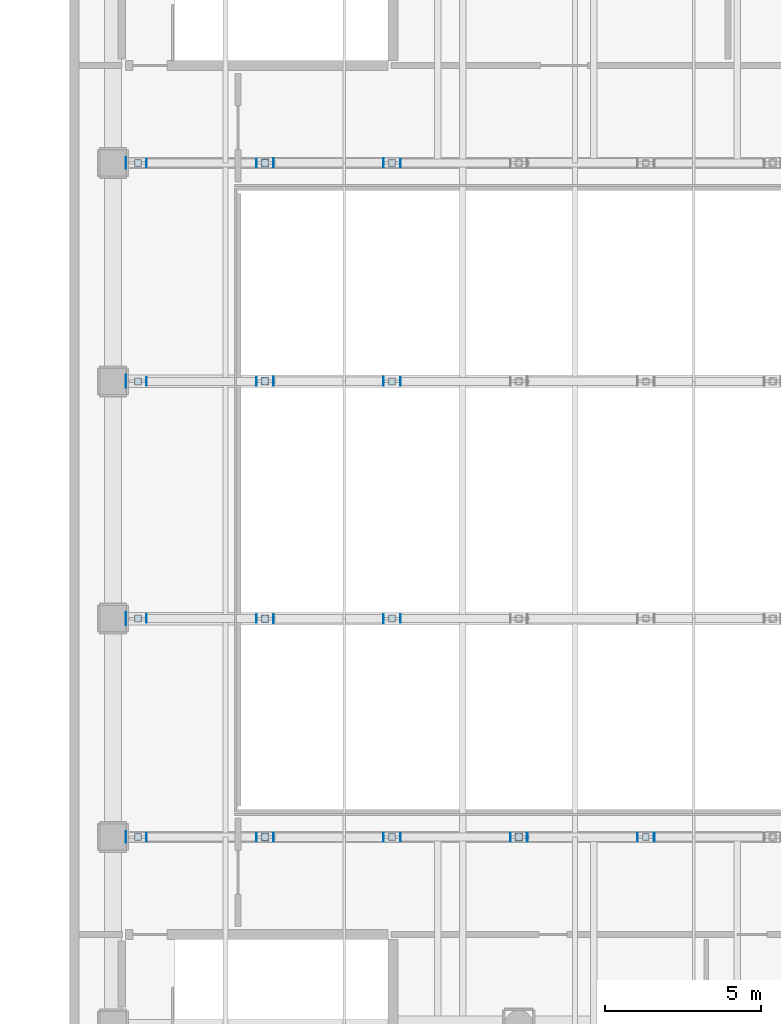
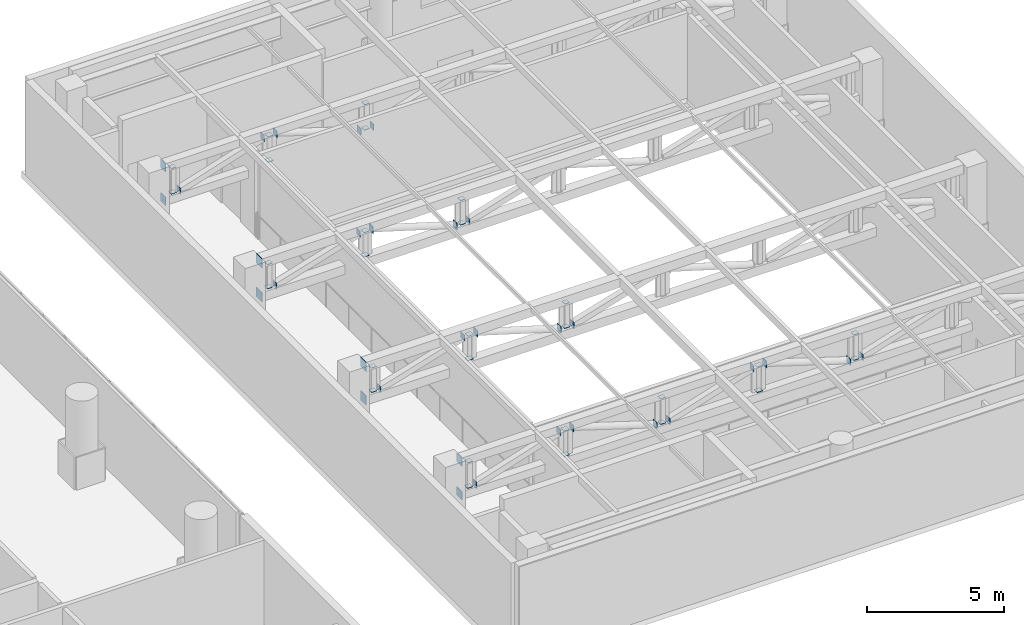
# One storey, part 16 of 25: 60 plates.
"""IFC4 building model written with IfcOpenShell, lengths in metres."""

import ifcopenshell
import ifcopenshell.guid

model = None  # the IFC model being written
_history = None  # IfcOwnerHistory: only IFC2X3 demands one
_inside = {}  # id of a spatial element -> (the spatial element, [elements in it])
_under = {}  # id of a project, library or spatial element -> (it, [spatial elements below it])
_declared = {}  # id of a project -> (the project, [libraries it declares])
_typed = {}  # id of a type object -> (the type object, [elements of that type])
_made_of = {}  # id of a material, layer set ... -> (it, [elements and type objects made of it])


def new_model(schema):
    """Start an empty IFC model of exactly this schema.

    Asked for "IFC4X3", IfcOpenShell would pick the latest addendum, in which some entities
    have other attributes; the version numbers below select the first issue.
    IFC2X3 requires an IfcOwnerHistory on every rooted entity: one is made here for all.
    """
    global model, _history
    if schema == "IFC4X3":
        model = ifcopenshell.file(schema_version=(4, 3, 0, 0))
    else:
        model = ifcopenshell.file(schema=schema)
    _inside.clear()
    _under.clear()
    _declared.clear()
    _typed.clear()
    _made_of.clear()
    _history = None
    if model.schema == "IFC2X3":
        org = make("IfcOrganization", Name="unknown")
        user = make(
            "IfcPersonAndOrganization",
            ThePerson=make("IfcPerson", FamilyName="unknown"),
            TheOrganization=org,
        )
        app = make(
            "IfcApplication",
            ApplicationDeveloper=org,
            Version="unknown",
            ApplicationFullName="unknown",
            ApplicationIdentifier="unknown",
        )
        _history = make(
            "IfcOwnerHistory",
            OwningUser=user,
            OwningApplication=app,
            ChangeAction="ADDED",
            CreationDate=0,
        )
    return model


def make(cls, **values):
    """One entity of the class cls with the attributes given. An attribute that is None is left unset."""
    return model.create_entity(
        cls, **{name: value for name, value in values.items() if value is not None}
    )


def rooted(cls, **values):
    """An entity with a GlobalId (a new one), such as an element, a storey or a relation."""
    return make(cls, GlobalId=ifcopenshell.guid.new(), OwnerHistory=_history, **values)


def si_unit(unit_type, name, prefix=None):
    """IfcSIUnit, for example si_unit("LENGTHUNIT", "METRE", prefix="MILLI")."""
    return make("IfcSIUnit", UnitType=unit_type, Prefix=prefix, Name=name)


def assignment(units):
    """IfcUnitAssignment: the units of a project."""
    return None if units is None else make("IfcUnitAssignment", Units=units)


def point(xyz):
    """IfcCartesianPoint."""
    return None if xyz is None else make("IfcCartesianPoint", Coordinates=xyz)


def direction(xyz):
    """IfcDirection."""
    return None if xyz is None else make("IfcDirection", DirectionRatios=xyz)


def frame(location, z_axis=None, x_axis=None):
    """IfcAxis2Placement3D, a coordinate frame: its origin and axes. An axis left out is left unset."""
    return make(
        "IfcAxis2Placement3D",
        Location=point(location),
        Axis=direction(z_axis),
        RefDirection=direction(x_axis),
    )


def frame_2d(location, x_axis=None):
    """IfcAxis2Placement2D, a coordinate frame in the plane: its origin and x axis."""
    return make(
        "IfcAxis2Placement2D", Location=point(location), RefDirection=direction(x_axis)
    )


def origin():
    """The frame at (0, 0, 0) with its axes left unset."""
    return frame((0.0, 0.0, 0.0))


def origin_2d():
    """The frame at (0, 0) in the plane with its x axis left unset."""
    return frame_2d((0.0, 0.0))


def place(relative_to, where):
    """IfcLocalPlacement: puts the frame where relative to a parent placement (None: the world)."""
    return make(
        "IfcLocalPlacement", PlacementRelTo=relative_to, RelativePlacement=where
    )


def context(
    kind, dimensions, precision=None, world=None, true_north=None, identifier=None
):
    """IfcGeometricRepresentationContext, for example the 3D "Model" context."""
    return make(
        "IfcGeometricRepresentationContext",
        ContextIdentifier=identifier,
        ContextType=kind,
        CoordinateSpaceDimension=dimensions,
        Precision=precision,
        WorldCoordinateSystem=world,
        TrueNorth=true_north,
    )


def subcontext(parent, identifier, kind, view, scale=None):
    """IfcGeometricRepresentationSubContext, for example "Body" below "Model"."""
    return make(
        "IfcGeometricRepresentationSubContext",
        ContextIdentifier=identifier,
        ContextType=kind,
        ParentContext=parent,
        TargetScale=scale,
        TargetView=view,
    )


def project(units=None, contexts=None):
    """IfcProject with its units and contexts."""
    return rooted(
        "IfcProject",
        Name="project",
        RepresentationContexts=contexts,
        UnitsInContext=assignment(units),
    )


def spatial(cls, under=None, at=None, **own):
    """A site, building, storey or space (cls), placed at a placement, below another one or the project."""
    s = rooted(cls, ObjectPlacement=at, **own)
    if under is not None:
        _under.setdefault(under.id(), (under, []))[1].append(s)
    return s


def profile(cls, at=None, kind="AREA", **sizes):
    """A parametric profile (cls). Its sizes go by their IFC names, for example OverallWidth=200.0."""
    return make(cls, ProfileType=kind, Position=at, **sizes)


def rectangle(**sizes):
    """IfcRectangleProfileDef."""
    return profile("IfcRectangleProfileDef", **sizes)


def extrude(swept, where, along, depth):
    """IfcExtrudedAreaSolid: the profile swept, set in the frame where, extruded along a direction by depth."""
    return make(
        "IfcExtrudedAreaSolid",
        SweptArea=swept,
        Position=where,
        ExtrudedDirection=direction(along),
        Depth=depth,
    )


def shape(context_of_items, identifier, shape_type, items):
    """IfcShapeRepresentation: the items that make up one representation, for example the "Body"."""
    return make(
        "IfcShapeRepresentation",
        ContextOfItems=context_of_items,
        RepresentationIdentifier=identifier,
        RepresentationType=shape_type,
        Items=items,
    )


def material(Name=None, Category=None):
    """IfcMaterial."""
    return make("IfcMaterial", Name=Name, Category=Category)


def layer(
    of_material, thickness, ventilated=None, Name=None, Category=None, Priority=None
):
    """IfcMaterialLayer: one layer of a wall or slab, of a material (None: an air gap)."""
    return make(
        "IfcMaterialLayer",
        Material=of_material,
        LayerThickness=thickness,
        IsVentilated=ventilated,
        Name=Name,
        Category=Category,
        Priority=Priority,
    )


def layer_set(layers, Name=None):
    """IfcMaterialLayerSet."""
    return make("IfcMaterialLayerSet", MaterialLayers=layers, LayerSetName=Name)


def made_of(thing, what):
    """Note that an element or type object is made of a material, layer set ...; save() writes the relation."""
    if what is not None:
        _made_of.setdefault(what.id(), (what, []))[1].append(thing)
    return thing


def type_object(cls, material=None, **own):
    """A type object (cls), such as IfcWallType, which elements share."""
    return made_of(rooted(cls, **own), material)


def element(
    cls,
    number,
    at=None,
    inside=None,
    cuts=None,
    type_object=None,
    material=None,
    context=None,
    identifier="Body",
    shape_type=None,
    held_by="IfcProductDefinitionShape",
    body=None,
    shapes=None,
    **own,
):
    """One element of the class cls, such as IfcWall. Its Tag is "e" and its number.

    at: its placement. inside: the storey or other place that contains it. cuts: it is an
    opening in that element (IfcRelVoidsElement). A single representation is given by context,
    identifier, shape_type and body (its items); several are given by shapes. held_by: the class
    of the entity that holds the representations. save() writes the other relations.
    """
    e = rooted(cls, Tag="e%d" % number, ObjectPlacement=at, **own)
    if body is not None:
        shapes = [shape(context, identifier, shape_type, body)]
    if shapes is not None:
        e.Representation = make(held_by, Representations=shapes)
    if inside is not None:
        _inside.setdefault(inside.id(), (inside, []))[1].append(e)
    if cuts is not None:
        rooted(
            "IfcRelVoidsElement", RelatingBuildingElement=cuts, RelatedOpeningElement=e
        )
    if type_object is not None:
        _typed.setdefault(type_object.id(), (type_object, []))[1].append(e)
    return made_of(e, material)


def aggregate(whole, parts):
    """IfcRelAggregates: a whole, such as a stair, and the parts it consists of."""
    return rooted("IfcRelAggregates", RelatingObject=whole, RelatedObjects=parts)


def save(model, path):
    """Write the relations noted so far, then the file.

    IfcRelAggregates (storeys below a building ...), IfcRelContainedInSpatialStructure (elements
    in a storey), IfcRelDefinesByType, IfcRelAssociatesMaterial and IfcRelDeclares: one each for
    every whole, place, type object, material and project.
    """
    for whole, parts in _under.values():
        aggregate(whole, parts)
    for where, things in _inside.values():
        rooted(
            "IfcRelContainedInSpatialStructure",
            RelatedElements=things,
            RelatingStructure=where,
        )
    for kind, things in _typed.values():
        rooted("IfcRelDefinesByType", RelatedObjects=things, RelatingType=kind)
    for what, things in _made_of.values():
        rooted("IfcRelAssociatesMaterial", RelatedObjects=things, RelatingMaterial=what)
    for by, libraries in _declared.values():
        rooted("IfcRelDeclares", RelatingContext=by, RelatedDefinitions=libraries)
    model.write(path)


model = new_model("IFC4")

# Units and contexts
model_context = context("Model", 3, precision=1e-05, world=origin(), true_north=direction((0.0, 1.0)))
body_context = subcontext(model_context, "Body", "Model", "MODEL_VIEW")
ifc_project = project(units=[si_unit("LENGTHUNIT", "METRE"), si_unit("AREAUNIT", "SQUARE_METRE"), si_unit("VOLUMEUNIT", "CUBIC_METRE"), si_unit("PLANEANGLEUNIT", "RADIAN"), si_unit("MASSUNIT", "GRAM", prefix="KILO")], contexts=[model_context])

# Site, building, storey
site_placement = place(None, origin())
site = spatial("IfcSite", under=ifc_project, at=site_placement, CompositionType="ELEMENT")
building_placement = place(site_placement, origin())
building = spatial("IfcBuilding", under=site, at=building_placement, Name="Solanera Arch Residences", CompositionType="ELEMENT")
storey_placement = place(building_placement, frame((0.0, 0.0, 17.800048828125)))
storey = spatial("IfcBuildingStorey", under=building, at=storey_placement, Name="L04", CompositionType="ELEMENT", Elevation=17.800048828125)

# Plates
ifc_material = material(Name="Steel S355 (ASTM A992 / A572 Grade 50)", Category="steel")
ifc_layer = layer(ifc_material, 0.02001953125)
ifc_layer_set = layer_set([ifc_layer], Name="Steel S355 (ASTM A992 / A572 Grade 50)")
plate_type = type_object("IfcPlateType", Name="End Cap Plate EC-20", PredefinedType="USERDEFINED", material=ifc_layer_set)
for number, where, z_axis, x_axis, name in (
    (1, (56.215087890625, 19.800048828125, 3.81494140625), (0.0, 0.0, 1.0), (-1.0, 0.0, 0.0), "Hollow Section End Cap 1"),
    (2, (56.215087890625, 19.800048828125, 2.31494140625), (0.0, 0.0, 1.0), (-1.0, 0.0, 0.0), "Hollow Section End Cap 3"),
):
    element("IfcPlate", number, at=place(storey_placement, frame(where, z_axis=z_axis, x_axis=x_axis)), inside=storey, type_object=plate_type, Name=name, ObjectType="STIFFENER", PredefinedType="USERDEFINED", context=body_context, shape_type="SweptSolid", body=[
        extrude(rectangle(XDim=0.02001953125, YDim=0.3701171875, at=origin_2d()), origin(), (0.0, 0.0, 1.0), 0.3701171875),
    ])
for number, where, z_axis, x_axis, name in (
    (3, (56.60009765625, 19.800048828125, 2.675048828125), (0.0, 0.0, 1.0), (1.0, 0.0, 0.0), "Hollow Section End Cap 5"),
    (4, (56.60009765625, 19.800048828125, 3.804931640625), (0.0, 0.0, 1.0), (1.0, 0.0, 0.0), "Hollow Section End Cap 6"),
):
    element("IfcPlate", number, at=place(storey_placement, frame(where, z_axis=z_axis, x_axis=x_axis)), inside=storey, type_object=plate_type, Name=name, ObjectType="STIFFENER", PredefinedType="USERDEFINED", context=body_context, shape_type="SweptSolid", body=[
        extrude(rectangle(XDim=0.219970703125, YDim=0.219970703125, at=origin_2d()), origin(), (0.0, 0.0, 1.0), 0.02001953125),
    ])
for number, where, z_axis, x_axis, name in (
    (5, (56.8701171875, 19.800048828125, 2.556884765625), (0.0, 0.0, 1.0), (-1.0, 0.0, 0.0), "Hollow Section End Cap 7"),
    (6, (60.39697265625, 19.800048828125, 3.6728515625), (0.0, 0.0, 1.0), (1.0, 0.0, 0.0), "Hollow Section End Cap 8"),
):
    element("IfcPlate", number, at=place(storey_placement, frame(where, z_axis=z_axis, x_axis=x_axis)), inside=storey, type_object=plate_type, Name=name, ObjectType="STIFFENER", PredefinedType="USERDEFINED", context=body_context, shape_type="SweptSolid", body=[
        extrude(rectangle(XDim=0.02001953125, YDim=0.27001953125, at=origin_2d()), origin(), (0.0, 0.0, 1.0), 0.27001953125),
    ])
for number, where, z_axis, x_axis, name in (
    (7, (60.6669921875, 19.800048828125, 2.675048828125), (0.0, 0.0, 1.0), (1.0, 0.0, 0.0), "Hollow Section End Cap 9"),
    (8, (60.6669921875, 19.800048828125, 3.804931640625), (0.0, 0.0, 1.0), (1.0, 0.0, 0.0), "Hollow Section End Cap 10"),
):
    element("IfcPlate", number, at=place(storey_placement, frame(where, z_axis=z_axis, x_axis=x_axis)), inside=storey, type_object=plate_type, Name=name, ObjectType="STIFFENER", PredefinedType="USERDEFINED", context=body_context, shape_type="SweptSolid", body=[
        extrude(rectangle(XDim=0.239013671875, YDim=0.239013671875, at=origin_2d()), origin(), (0.0, 0.0, 1.0), 0.02001953125),
    ])
for number, where, z_axis, x_axis, name in (
    (9, (60.93701171875, 19.800048828125, 3.661376953125), (0.0, 0.0, 1.0), (-1.0, 0.0, 0.0), "Hollow Section End Cap 11"),
    (10, (64.462890625, 19.800048828125, 2.54541015625), (0.0, 0.0, 1.0), (1.0, 0.0, 0.0), "Hollow Section End Cap 12"),
):
    element("IfcPlate", number, at=place(storey_placement, frame(where, z_axis=z_axis, x_axis=x_axis)), inside=storey, type_object=plate_type, Name=name, ObjectType="STIFFENER", PredefinedType="USERDEFINED", context=body_context, shape_type="SweptSolid", body=[
        extrude(rectangle(XDim=0.02001953125, YDim=0.29296875, at=origin_2d()), origin(), (0.0, 0.0, 1.0), 0.29296875),
    ])
for number, where, z_axis, x_axis, name in (
    (11, (64.73291015625, 19.800048828125, 2.675048828125), (0.0, 0.0, 1.0), (1.0, 0.0, 0.0), "Hollow Section End Cap 13"),
    (12, (64.73291015625, 19.800048828125, 3.804931640625), (0.0, 0.0, 1.0), (1.0, 0.0, 0.0), "Hollow Section End Cap 14"),
):
    element("IfcPlate", number, at=place(storey_placement, frame(where, z_axis=z_axis, x_axis=x_axis)), inside=storey, type_object=plate_type, Name=name, ObjectType="STIFFENER", PredefinedType="USERDEFINED", context=body_context, shape_type="SweptSolid", body=[
        extrude(rectangle(XDim=0.219970703125, YDim=0.219970703125, at=origin_2d()), origin(), (0.0, 0.0, 1.0), 0.02001953125),
    ])
for number, where, z_axis, x_axis, name in (
    (13, (65.0029296875, 19.800048828125, 2.556884765625), (0.0, 0.0, 1.0), (-1.0, 0.0, 0.0), "Hollow Section End Cap 15"),
    (14, (68.530029296875, 19.800048828125, 3.6728515625), (0.0, 0.0, 1.0), (1.0, 0.0, 0.0), "Hollow Section End Cap 16"),
):
    element("IfcPlate", number, at=place(storey_placement, frame(where, z_axis=z_axis, x_axis=x_axis)), inside=storey, type_object=plate_type, Name=name, ObjectType="STIFFENER", PredefinedType="USERDEFINED", context=body_context, shape_type="SweptSolid", body=[
        extrude(rectangle(XDim=0.02001953125, YDim=0.27001953125, at=origin_2d()), origin(), (0.0, 0.0, 1.0), 0.27001953125),
    ])
for number, where, z_axis, x_axis, name in (
    (15, (68.800048828125, 19.800048828125, 2.675048828125), (0.0, 0.0, 1.0), (1.0, 0.0, 0.0), "Hollow Section End Cap 17"),
    (16, (68.800048828125, 19.800048828125, 3.804931640625), (0.0, 0.0, 1.0), (1.0, 0.0, 0.0), "Hollow Section End Cap 18"),
):
    element("IfcPlate", number, at=place(storey_placement, frame(where, z_axis=z_axis, x_axis=x_axis)), inside=storey, type_object=plate_type, Name=name, ObjectType="STIFFENER", PredefinedType="USERDEFINED", context=body_context, shape_type="SweptSolid", body=[
        extrude(rectangle(XDim=0.239013671875, YDim=0.239013671875, at=origin_2d()), origin(), (0.0, 0.0, 1.0), 0.02001953125),
    ])
for number, where, z_axis, x_axis, name in (
    (17, (69.070068359375, 19.800048828125, 3.661376953125), (0.0, 0.0, 1.0), (-1.0, 0.0, 0.0), "Hollow Section End Cap 19"),
    (18, (72.596923828125, 19.800048828125, 2.54541015625), (0.0, 0.0, 1.0), (1.0, 0.0, 0.0), "Hollow Section End Cap 20"),
):
    element("IfcPlate", number, at=place(storey_placement, frame(where, z_axis=z_axis, x_axis=x_axis)), inside=storey, type_object=plate_type, Name=name, ObjectType="STIFFENER", PredefinedType="USERDEFINED", context=body_context, shape_type="SweptSolid", body=[
        extrude(rectangle(XDim=0.02001953125, YDim=0.29296875, at=origin_2d()), origin(), (0.0, 0.0, 1.0), 0.29296875),
    ])
for number, where, z_axis, x_axis, name in (
    (19, (72.866943359375, 19.800048828125, 2.675048828125), (0.0, 0.0, 1.0), (1.0, 0.0, 0.0), "Hollow Section End Cap 21"),
    (20, (72.866943359375, 19.800048828125, 3.804931640625), (0.0, 0.0, 1.0), (1.0, 0.0, 0.0), "Hollow Section End Cap 22"),
):
    element("IfcPlate", number, at=place(storey_placement, frame(where, z_axis=z_axis, x_axis=x_axis)), inside=storey, type_object=plate_type, Name=name, ObjectType="STIFFENER", PredefinedType="USERDEFINED", context=body_context, shape_type="SweptSolid", body=[
        extrude(rectangle(XDim=0.219970703125, YDim=0.219970703125, at=origin_2d()), origin(), (0.0, 0.0, 1.0), 0.02001953125),
    ])
plate_1_placement = place(storey_placement, frame((73.136962890625, 19.800048828125, 2.556884765625), z_axis=(0.0, 0.0, 1.0), x_axis=(-1.0, 0.0, 0.0)))
element("IfcPlate", 21, at=plate_1_placement, inside=storey, type_object=plate_type, Name="Hollow Section End Cap 23", ObjectType="STIFFENER", PredefinedType="USERDEFINED", context=body_context, shape_type="SweptSolid", body=[
    extrude(rectangle(XDim=0.02001953125, YDim=0.27001953125, at=origin_2d()), origin(), (0.0, 0.0, 1.0), 0.27001953125),
])
for number, where, z_axis, x_axis, name in (
    (22, (56.215087890625, 26.800048828125, 3.7900390625), (0.0, 0.0, 1.0), (-1.0, 0.0, 0.0), "Hollow Section End Cap 31"),
    (23, (56.215087890625, 26.800048828125, 2.2900390625), (0.0, 0.0, 1.0), (-1.0, 0.0, 0.0), "Hollow Section End Cap 33"),
):
    element("IfcPlate", number, at=place(storey_placement, frame(where, z_axis=z_axis, x_axis=x_axis)), inside=storey, type_object=plate_type, Name=name, ObjectType="STIFFENER", PredefinedType="USERDEFINED", context=body_context, shape_type="SweptSolid", body=[
        extrude(rectangle(XDim=0.02001953125, YDim=0.419921875, at=origin_2d()), origin(), (0.0, 0.0, 1.0), 0.419921875),
    ])
for number, where, z_axis, x_axis, name in (
    (24, (56.60009765625, 26.800048828125, 2.699951171875), (0.0, 0.0, 1.0), (1.0, 0.0, 0.0), "Hollow Section End Cap 35"),
    (25, (56.60009765625, 26.800048828125, 3.780029296875), (0.0, 0.0, 1.0), (1.0, 0.0, 0.0), "Hollow Section End Cap 36"),
):
    element("IfcPlate", number, at=place(storey_placement, frame(where, z_axis=z_axis, x_axis=x_axis)), inside=storey, type_object=plate_type, Name=name, ObjectType="STIFFENER", PredefinedType="USERDEFINED", context=body_context, shape_type="SweptSolid", body=[
        extrude(rectangle(XDim=0.219970703125, YDim=0.219970703125, at=origin_2d()), origin(), (0.0, 0.0, 1.0), 0.02001953125),
    ])
for number, where, z_axis, x_axis, name in (
    (26, (56.8701171875, 26.800048828125, 2.58203125), (0.0, 0.0, 1.0), (-1.0, 0.0, 0.0), "Hollow Section End Cap 37"),
    (27, (60.39697265625, 26.800048828125, 3.64794921875), (0.0, 0.0, 1.0), (1.0, 0.0, 0.0), "Hollow Section End Cap 38"),
):
    element("IfcPlate", number, at=place(storey_placement, frame(where, z_axis=z_axis, x_axis=x_axis)), inside=storey, type_object=plate_type, Name=name, ObjectType="STIFFENER", PredefinedType="USERDEFINED", context=body_context, shape_type="SweptSolid", body=[
        extrude(rectangle(XDim=0.02001953125, YDim=0.27001953125, at=origin_2d()), origin(), (0.0, 0.0, 1.0), 0.27001953125),
    ])
for number, where, z_axis, x_axis, name in (
    (28, (60.6669921875, 26.800048828125, 2.699951171875), (0.0, 0.0, 1.0), (1.0, 0.0, 0.0), "Hollow Section End Cap 39"),
    (29, (60.6669921875, 26.800048828125, 3.780029296875), (0.0, 0.0, 1.0), (1.0, 0.0, 0.0), "Hollow Section End Cap 40"),
):
    element("IfcPlate", number, at=place(storey_placement, frame(where, z_axis=z_axis, x_axis=x_axis)), inside=storey, type_object=plate_type, Name=name, ObjectType="STIFFENER", PredefinedType="USERDEFINED", context=body_context, shape_type="SweptSolid", body=[
        extrude(rectangle(XDim=0.239013671875, YDim=0.239013671875, at=origin_2d()), origin(), (0.0, 0.0, 1.0), 0.02001953125),
    ])
for number, where, z_axis, x_axis, name in (
    (30, (60.93701171875, 26.800048828125, 3.636474609375), (0.0, 0.0, 1.0), (-1.0, 0.0, 0.0), "Hollow Section End Cap 41"),
    (31, (64.462890625, 26.800048828125, 2.570556640625), (0.0, 0.0, 1.0), (1.0, 0.0, 0.0), "Hollow Section End Cap 42"),
):
    element("IfcPlate", number, at=place(storey_placement, frame(where, z_axis=z_axis, x_axis=x_axis)), inside=storey, type_object=plate_type, Name=name, ObjectType="STIFFENER", PredefinedType="USERDEFINED", context=body_context, shape_type="SweptSolid", body=[
        extrude(rectangle(XDim=0.02001953125, YDim=0.29296875, at=origin_2d()), origin(), (0.0, 0.0, 1.0), 0.29296875),
    ])
for number, where, z_axis, x_axis, name in (
    (32, (64.73291015625, 26.800048828125, 2.699951171875), (0.0, 0.0, 1.0), (1.0, 0.0, 0.0), "Hollow Section End Cap 43"),
    (33, (64.73291015625, 26.800048828125, 3.780029296875), (0.0, 0.0, 1.0), (1.0, 0.0, 0.0), "Hollow Section End Cap 44"),
):
    element("IfcPlate", number, at=place(storey_placement, frame(where, z_axis=z_axis, x_axis=x_axis)), inside=storey, type_object=plate_type, Name=name, ObjectType="STIFFENER", PredefinedType="USERDEFINED", context=body_context, shape_type="SweptSolid", body=[
        extrude(rectangle(XDim=0.219970703125, YDim=0.219970703125, at=origin_2d()), origin(), (0.0, 0.0, 1.0), 0.02001953125),
    ])
plate_2_placement = place(storey_placement, frame((65.0029296875, 26.800048828125, 2.58203125), z_axis=(0.0, 0.0, 1.0), x_axis=(-1.0, 0.0, 0.0)))
element("IfcPlate", 34, at=plate_2_placement, inside=storey, type_object=plate_type, Name="Hollow Section End Cap 45", ObjectType="STIFFENER", PredefinedType="USERDEFINED", context=body_context, shape_type="SweptSolid", body=[
    extrude(rectangle(XDim=0.02001953125, YDim=0.27001953125, at=origin_2d()), origin(), (0.0, 0.0, 1.0), 0.27001953125),
])
for number, where, z_axis, x_axis, name in (
    (35, (56.215087890625, 34.39990234375, 3.7900390625), (0.0, 0.0, 1.0), (-1.0, 0.0, 0.0), "Hollow Section End Cap 61"),
    (36, (56.215087890625, 34.39990234375, 2.2900390625), (0.0, 0.0, 1.0), (-1.0, 0.0, 0.0), "Hollow Section End Cap 63"),
):
    element("IfcPlate", number, at=place(storey_placement, frame(where, z_axis=z_axis, x_axis=x_axis)), inside=storey, type_object=plate_type, Name=name, ObjectType="STIFFENER", PredefinedType="USERDEFINED", context=body_context, shape_type="SweptSolid", body=[
        extrude(rectangle(XDim=0.02001953125, YDim=0.419921875, at=origin_2d()), origin(), (0.0, 0.0, 1.0), 0.419921875),
    ])
for number, where, z_axis, x_axis, name in (
    (37, (56.60009765625, 34.39990234375, 2.699951171875), (0.0, 0.0, 1.0), (1.0, 0.0, 0.0), "Hollow Section End Cap 65"),
    (38, (56.60009765625, 34.39990234375, 3.780029296875), (0.0, 0.0, 1.0), (1.0, 0.0, 0.0), "Hollow Section End Cap 66"),
):
    element("IfcPlate", number, at=place(storey_placement, frame(where, z_axis=z_axis, x_axis=x_axis)), inside=storey, type_object=plate_type, Name=name, ObjectType="STIFFENER", PredefinedType="USERDEFINED", context=body_context, shape_type="SweptSolid", body=[
        extrude(rectangle(XDim=0.219970703125, YDim=0.219970703125, at=origin_2d()), origin(), (0.0, 0.0, 1.0), 0.02001953125),
    ])
for number, where, z_axis, x_axis, name in (
    (39, (56.8701171875, 34.39990234375, 2.58203125), (0.0, 0.0, 1.0), (-1.0, 0.0, 0.0), "Hollow Section End Cap 67"),
    (40, (60.39697265625, 34.39990234375, 3.64794921875), (0.0, 0.0, 1.0), (1.0, 0.0, 0.0), "Hollow Section End Cap 68"),
):
    element("IfcPlate", number, at=place(storey_placement, frame(where, z_axis=z_axis, x_axis=x_axis)), inside=storey, type_object=plate_type, Name=name, ObjectType="STIFFENER", PredefinedType="USERDEFINED", context=body_context, shape_type="SweptSolid", body=[
        extrude(rectangle(XDim=0.02001953125, YDim=0.27001953125, at=origin_2d()), origin(), (0.0, 0.0, 1.0), 0.27001953125),
    ])
for number, where, z_axis, x_axis, name in (
    (41, (60.6669921875, 34.39990234375, 2.699951171875), (0.0, 0.0, 1.0), (1.0, 0.0, 0.0), "Hollow Section End Cap 69"),
    (42, (60.6669921875, 34.39990234375, 3.780029296875), (0.0, 0.0, 1.0), (1.0, 0.0, 0.0), "Hollow Section End Cap 70"),
):
    element("IfcPlate", number, at=place(storey_placement, frame(where, z_axis=z_axis, x_axis=x_axis)), inside=storey, type_object=plate_type, Name=name, ObjectType="STIFFENER", PredefinedType="USERDEFINED", context=body_context, shape_type="SweptSolid", body=[
        extrude(rectangle(XDim=0.239013671875, YDim=0.239013671875, at=origin_2d()), origin(), (0.0, 0.0, 1.0), 0.02001953125),
    ])
for number, where, z_axis, x_axis, name in (
    (43, (60.93701171875, 34.39990234375, 3.636474609375), (0.0, 0.0, 1.0), (-1.0, 0.0, 0.0), "Hollow Section End Cap 71"),
    (44, (64.462890625, 34.39990234375, 2.570556640625), (0.0, 0.0, 1.0), (1.0, 0.0, 0.0), "Hollow Section End Cap 72"),
):
    element("IfcPlate", number, at=place(storey_placement, frame(where, z_axis=z_axis, x_axis=x_axis)), inside=storey, type_object=plate_type, Name=name, ObjectType="STIFFENER", PredefinedType="USERDEFINED", context=body_context, shape_type="SweptSolid", body=[
        extrude(rectangle(XDim=0.02001953125, YDim=0.29296875, at=origin_2d()), origin(), (0.0, 0.0, 1.0), 0.29296875),
    ])
for number, where, z_axis, x_axis, name in (
    (45, (64.73291015625, 34.39990234375, 2.699951171875), (0.0, 0.0, 1.0), (1.0, 0.0, 0.0), "Hollow Section End Cap 73"),
    (46, (64.73291015625, 34.39990234375, 3.780029296875), (0.0, 0.0, 1.0), (1.0, 0.0, 0.0), "Hollow Section End Cap 74"),
):
    element("IfcPlate", number, at=place(storey_placement, frame(where, z_axis=z_axis, x_axis=x_axis)), inside=storey, type_object=plate_type, Name=name, ObjectType="STIFFENER", PredefinedType="USERDEFINED", context=body_context, shape_type="SweptSolid", body=[
        extrude(rectangle(XDim=0.219970703125, YDim=0.219970703125, at=origin_2d()), origin(), (0.0, 0.0, 1.0), 0.02001953125),
    ])
plate_3_placement = place(storey_placement, frame((65.0029296875, 34.39990234375, 2.58203125), z_axis=(0.0, 0.0, 1.0), x_axis=(-1.0, 0.0, 0.0)))
element("IfcPlate", 47, at=plate_3_placement, inside=storey, type_object=plate_type, Name="Hollow Section End Cap 75", ObjectType="STIFFENER", PredefinedType="USERDEFINED", context=body_context, shape_type="SweptSolid", body=[
    extrude(rectangle(XDim=0.02001953125, YDim=0.27001953125, at=origin_2d()), origin(), (0.0, 0.0, 1.0), 0.27001953125),
])
for number, where, z_axis, x_axis, name in (
    (48, (56.215087890625, 41.39990234375, 3.81494140625), (0.0, 0.0, 1.0), (-1.0, 0.0, 0.0), "Hollow Section End Cap 91"),
    (49, (56.215087890625, 41.39990234375, 2.31494140625), (0.0, 0.0, 1.0), (-1.0, 0.0, 0.0), "Hollow Section End Cap 93"),
):
    element("IfcPlate", number, at=place(storey_placement, frame(where, z_axis=z_axis, x_axis=x_axis)), inside=storey, type_object=plate_type, Name=name, ObjectType="STIFFENER", PredefinedType="USERDEFINED", context=body_context, shape_type="SweptSolid", body=[
        extrude(rectangle(XDim=0.02001953125, YDim=0.3701171875, at=origin_2d()), origin(), (0.0, 0.0, 1.0), 0.3701171875),
    ])
for number, where, z_axis, x_axis, name in (
    (50, (56.60009765625, 41.39990234375, 2.675048828125), (0.0, 0.0, 1.0), (1.0, 0.0, 0.0), "Hollow Section End Cap 95"),
    (51, (56.60009765625, 41.39990234375, 3.804931640625), (0.0, 0.0, 1.0), (1.0, 0.0, 0.0), "Hollow Section End Cap 96"),
):
    element("IfcPlate", number, at=place(storey_placement, frame(where, z_axis=z_axis, x_axis=x_axis)), inside=storey, type_object=plate_type, Name=name, ObjectType="STIFFENER", PredefinedType="USERDEFINED", context=body_context, shape_type="SweptSolid", body=[
        extrude(rectangle(XDim=0.219970703125, YDim=0.219970703125, at=origin_2d()), origin(), (0.0, 0.0, 1.0), 0.02001953125),
    ])
for number, where, z_axis, x_axis, name in (
    (52, (56.8701171875, 41.39990234375, 2.556884765625), (0.0, 0.0, 1.0), (-1.0, 0.0, 0.0), "Hollow Section End Cap 97"),
    (53, (60.39697265625, 41.39990234375, 3.6728515625), (0.0, 0.0, 1.0), (1.0, 0.0, 0.0), "Hollow Section End Cap 98"),
):
    element("IfcPlate", number, at=place(storey_placement, frame(where, z_axis=z_axis, x_axis=x_axis)), inside=storey, type_object=plate_type, Name=name, ObjectType="STIFFENER", PredefinedType="USERDEFINED", context=body_context, shape_type="SweptSolid", body=[
        extrude(rectangle(XDim=0.02001953125, YDim=0.27001953125, at=origin_2d()), origin(), (0.0, 0.0, 1.0), 0.27001953125),
    ])
for number, where, z_axis, x_axis, name in (
    (54, (60.6669921875, 41.39990234375, 2.675048828125), (0.0, 0.0, 1.0), (1.0, 0.0, 0.0), "Hollow Section End Cap 99"),
    (55, (60.6669921875, 41.39990234375, 3.804931640625), (0.0, 0.0, 1.0), (1.0, 0.0, 0.0), "Hollow Section End Cap 100"),
):
    element("IfcPlate", number, at=place(storey_placement, frame(where, z_axis=z_axis, x_axis=x_axis)), inside=storey, type_object=plate_type, Name=name, ObjectType="STIFFENER", PredefinedType="USERDEFINED", context=body_context, shape_type="SweptSolid", body=[
        extrude(rectangle(XDim=0.239013671875, YDim=0.239013671875, at=origin_2d()), origin(), (0.0, 0.0, 1.0), 0.02001953125),
    ])
for number, where, z_axis, x_axis, name in (
    (56, (60.93701171875, 41.39990234375, 3.661376953125), (0.0, 0.0, 1.0), (-1.0, 0.0, 0.0), "Hollow Section End Cap 101"),
    (57, (64.462890625, 41.39990234375, 2.54541015625), (0.0, 0.0, 1.0), (1.0, 0.0, 0.0), "Hollow Section End Cap 102"),
):
    element("IfcPlate", number, at=place(storey_placement, frame(where, z_axis=z_axis, x_axis=x_axis)), inside=storey, type_object=plate_type, Name=name, ObjectType="STIFFENER", PredefinedType="USERDEFINED", context=body_context, shape_type="SweptSolid", body=[
        extrude(rectangle(XDim=0.02001953125, YDim=0.29296875, at=origin_2d()), origin(), (0.0, 0.0, 1.0), 0.29296875),
    ])
for number, where, z_axis, x_axis, name in (
    (58, (64.73291015625, 41.39990234375, 2.675048828125), (0.0, 0.0, 1.0), (1.0, 0.0, 0.0), "Hollow Section End Cap 103"),
    (59, (64.73291015625, 41.39990234375, 3.804931640625), (0.0, 0.0, 1.0), (1.0, 0.0, 0.0), "Hollow Section End Cap 104"),
):
    element("IfcPlate", number, at=place(storey_placement, frame(where, z_axis=z_axis, x_axis=x_axis)), inside=storey, type_object=plate_type, Name=name, ObjectType="STIFFENER", PredefinedType="USERDEFINED", context=body_context, shape_type="SweptSolid", body=[
        extrude(rectangle(XDim=0.219970703125, YDim=0.219970703125, at=origin_2d()), origin(), (0.0, 0.0, 1.0), 0.02001953125),
    ])
plate_4_placement = place(storey_placement, frame((65.0029296875, 41.39990234375, 2.556884765625), z_axis=(0.0, 0.0, 1.0), x_axis=(-1.0, 0.0, 0.0)))
element("IfcPlate", 60, at=plate_4_placement, inside=storey, type_object=plate_type, Name="Hollow Section End Cap 105", ObjectType="STIFFENER", PredefinedType="USERDEFINED", context=body_context, shape_type="SweptSolid", body=[
    extrude(rectangle(XDim=0.02001953125, YDim=0.27001953125, at=origin_2d()), origin(), (0.0, 0.0, 1.0), 0.27001953125),
])

save(model, "model.ifc")
